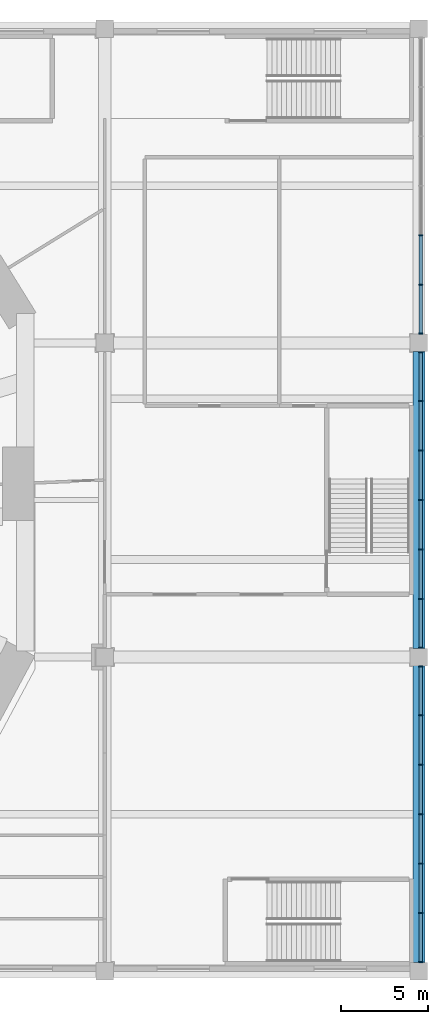
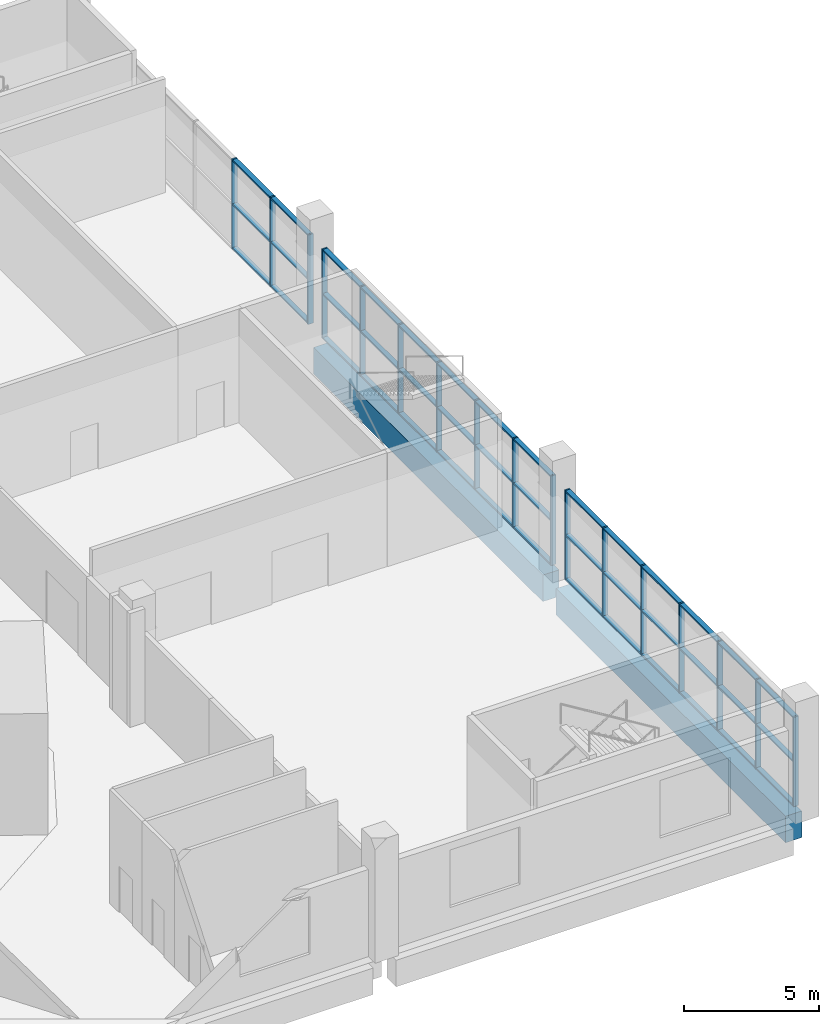
# One storey, part 2 of 16: 59 members, 2 beams, 3 elements without a shape of their own.
"""IFC4 building model written with IfcOpenShell, lengths in metres."""

from ifc_helpers import new_model, si_unit, direction, frame, origin, origin_2d, place, context, subcontext, project, spatial, rectangle, extrude, material, material_profile, profile_set, type_object, element, aggregate, save


model = new_model("IFC4")

# Units and contexts
model_context = context("Model", 3, precision=1e-05, world=origin(), true_north=direction((0.0, 1.0)))
body_context = subcontext(model_context, "Body", "Model", "MODEL_VIEW")
ifc_project = project(units=[si_unit("LENGTHUNIT", "METRE"), si_unit("AREAUNIT", "SQUARE_METRE"), si_unit("VOLUMEUNIT", "CUBIC_METRE"), si_unit("PLANEANGLEUNIT", "RADIAN"), si_unit("MASSUNIT", "GRAM", prefix="KILO")], contexts=[model_context])

# Site, building, storey
site_placement = place(None, origin())
site = spatial("IfcSite", under=ifc_project, at=site_placement, CompositionType="ELEMENT")
building_placement = place(site_placement, origin())
building = spatial("IfcBuilding", under=site, at=building_placement, Name="Vanh Sen Convention Tower", CompositionType="ELEMENT")
storey_placement = place(building_placement, frame((0.0, 0.0, 29.0)))
storey = spatial("IfcBuildingStorey", under=building, at=storey_placement, Name="L04", CompositionType="ELEMENT", Elevation=29.0)

# Curtain wall, members
ifc_material_1 = material(Name="Aluminium structural glazing system", Category="aluminium")
curtain_wall_type = type_object("IfcCurtainWallType", Name="Podium hall structural glazing", PredefinedType="NOTDEFINED", material=ifc_material_1)
curtain_wall_1_placement = place(storey_placement, origin())
curtain_wall_1 = element("IfcCurtainWall", 1, at=curtain_wall_1_placement, inside=storey, type_object=curtain_wall_type, Name="Podium hall glazing 1 L04", PredefinedType="NOTDEFINED")
ifc_material_2 = material(Name="Aluminium mullion", Category="aluminium")
ifc_material_profile_1 = material_profile(ifc_material_2, rectangle(XDim=0.219970703125, YDim=0.070068359375, at=origin_2d()), Name="Hall glazing mullion 70 x 220")
ifc_profile_set_1 = profile_set([ifc_material_profile_1], Name="Aluminium mullion")
member_type_1 = type_object("IfcMemberType", Name="Hall glazing mullion 70 x 220", PredefinedType="MULLION", material=ifc_profile_set_1)
member_1_placement = place(storey_placement, frame((45.110107421875, -26.465087890625, 0.0), z_axis=(0.0, 0.0, 1.0), x_axis=(-1.0, 0.0, 0.0)))
member_1 = element("IfcMember", 2, at=member_1_placement, type_object=member_type_1, Name="CW4 mullion 1", PredefinedType="MULLION", context=body_context, shape_type="SweptSolid", body=[
    extrude(rectangle(XDim=0.219970703125, YDim=0.070068359375, at=origin_2d()), origin(), (0.0, 0.0, 1.0), 4.050048828125),
])
member_2_placement = place(storey_placement, frame((45.110107421875, -23.666748046875, 0.0), z_axis=(0.0, 0.0, 1.0), x_axis=(-1.0, 0.0, 0.0)))
member_2 = element("IfcMember", 3, at=member_2_placement, type_object=member_type_1, Name="CW4 mullion 2", PredefinedType="MULLION", context=body_context, shape_type="SweptSolid", body=[
    extrude(rectangle(XDim=0.219970703125, YDim=0.070068359375, at=origin_2d()), origin(), (0.0, 0.0, 1.0), 4.050048828125),
])
member_3_placement = place(storey_placement, frame((45.110107421875, -20.833251953125, 0.0), z_axis=(0.0, 0.0, 1.0), x_axis=(-1.0, 0.0, 0.0)))
member_3 = element("IfcMember", 4, at=member_3_placement, type_object=member_type_1, Name="CW4 mullion 3", PredefinedType="MULLION", context=body_context, shape_type="SweptSolid", body=[
    extrude(rectangle(XDim=0.219970703125, YDim=0.070068359375, at=origin_2d()), origin(), (0.0, 0.0, 1.0), 4.050048828125),
])
member_4_placement = place(storey_placement, frame((45.110107421875, -18.0, 0.0), z_axis=(0.0, 0.0, 1.0), x_axis=(-1.0, 0.0, 0.0)))
member_4 = element("IfcMember", 5, at=member_4_placement, type_object=member_type_1, Name="CW4 mullion 4", PredefinedType="MULLION", context=body_context, shape_type="SweptSolid", body=[
    extrude(rectangle(XDim=0.219970703125, YDim=0.070068359375, at=origin_2d()), origin(), (0.0, 0.0, 1.0), 4.050048828125),
])
member_5_placement = place(storey_placement, frame((45.110107421875, -15.166748046875, 0.0), z_axis=(0.0, 0.0, 1.0), x_axis=(-1.0, 0.0, 0.0)))
member_5 = element("IfcMember", 6, at=member_5_placement, type_object=member_type_1, Name="CW4 mullion 5", PredefinedType="MULLION", context=body_context, shape_type="SweptSolid", body=[
    extrude(rectangle(XDim=0.219970703125, YDim=0.070068359375, at=origin_2d()), origin(), (0.0, 0.0, 1.0), 4.050048828125),
])
member_6_placement = place(storey_placement, frame((45.110107421875, -12.333251953125, 0.0), z_axis=(0.0, 0.0, 1.0), x_axis=(-1.0, 0.0, 0.0)))
member_6 = element("IfcMember", 7, at=member_6_placement, type_object=member_type_1, Name="CW4 mullion 6", PredefinedType="MULLION", context=body_context, shape_type="SweptSolid", body=[
    extrude(rectangle(XDim=0.219970703125, YDim=0.070068359375, at=origin_2d()), origin(), (0.0, 0.0, 1.0), 4.050048828125),
])
member_7_placement = place(storey_placement, frame((45.110107421875, -9.534912109375, 0.0), z_axis=(0.0, 0.0, 1.0), x_axis=(-1.0, 0.0, 0.0)))
member_7 = element("IfcMember", 8, at=member_7_placement, type_object=member_type_1, Name="CW4 mullion 7", PredefinedType="MULLION", context=body_context, shape_type="SweptSolid", body=[
    extrude(rectangle(XDim=0.219970703125, YDim=0.070068359375, at=origin_2d()), origin(), (0.0, 0.0, 1.0), 4.050048828125),
])

curtain_wall_2_placement = place(storey_placement, origin())
curtain_wall_2 = element("IfcCurtainWall", 9, at=curtain_wall_2_placement, inside=storey, type_object=curtain_wall_type, Name="Podium hall glazing 2 L04", PredefinedType="NOTDEFINED")
member_8_placement = place(storey_placement, frame((45.110107421875, -8.465087890625, 0.0), z_axis=(0.0, 0.0, 1.0), x_axis=(-1.0, 0.0, 0.0)))
member_8 = element("IfcMember", 10, at=member_8_placement, type_object=member_type_1, Name="CW4 mullion 1", PredefinedType="MULLION", context=body_context, shape_type="SweptSolid", body=[
    extrude(rectangle(XDim=0.219970703125, YDim=0.070068359375, at=origin_2d()), origin(), (0.0, 0.0, 1.0), 4.050048828125),
])
member_9_placement = place(storey_placement, frame((45.110107421875, -5.666748046875, 0.0), z_axis=(0.0, 0.0, 1.0), x_axis=(-1.0, 0.0, 0.0)))
member_9 = element("IfcMember", 11, at=member_9_placement, type_object=member_type_1, Name="CW4 mullion 2", PredefinedType="MULLION", context=body_context, shape_type="SweptSolid", body=[
    extrude(rectangle(XDim=0.219970703125, YDim=0.070068359375, at=origin_2d()), origin(), (0.0, 0.0, 1.0), 4.050048828125),
])
member_10_placement = place(storey_placement, frame((45.110107421875, -2.833251953125, 0.0), z_axis=(0.0, 0.0, 1.0), x_axis=(-1.0, 0.0, 0.0)))
member_10 = element("IfcMember", 12, at=member_10_placement, type_object=member_type_1, Name="CW4 mullion 3", PredefinedType="MULLION", context=body_context, shape_type="SweptSolid", body=[
    extrude(rectangle(XDim=0.219970703125, YDim=0.070068359375, at=origin_2d()), origin(), (0.0, 0.0, 1.0), 4.050048828125),
])
member_11_placement = place(storey_placement, frame((45.110107421875, 0.0, 0.0), z_axis=(0.0, 0.0, 1.0), x_axis=(-1.0, 0.0, 0.0)))
member_11 = element("IfcMember", 13, at=member_11_placement, type_object=member_type_1, Name="CW4 mullion 4", PredefinedType="MULLION", context=body_context, shape_type="SweptSolid", body=[
    extrude(rectangle(XDim=0.219970703125, YDim=0.070068359375, at=origin_2d()), origin(), (0.0, 0.0, 1.0), 4.050048828125),
])
member_12_placement = place(storey_placement, frame((45.110107421875, 2.833251953125, 0.0), z_axis=(0.0, 0.0, 1.0), x_axis=(-1.0, 0.0, 0.0)))
member_12 = element("IfcMember", 14, at=member_12_placement, type_object=member_type_1, Name="CW4 mullion 5", PredefinedType="MULLION", context=body_context, shape_type="SweptSolid", body=[
    extrude(rectangle(XDim=0.219970703125, YDim=0.070068359375, at=origin_2d()), origin(), (0.0, 0.0, 1.0), 4.050048828125),
])
member_13_placement = place(storey_placement, frame((45.110107421875, 5.666748046875, 0.0), z_axis=(0.0, 0.0, 1.0), x_axis=(-1.0, 0.0, 0.0)))
member_13 = element("IfcMember", 15, at=member_13_placement, type_object=member_type_1, Name="CW4 mullion 6", PredefinedType="MULLION", context=body_context, shape_type="SweptSolid", body=[
    extrude(rectangle(XDim=0.219970703125, YDim=0.070068359375, at=origin_2d()), origin(), (0.0, 0.0, 1.0), 4.050048828125),
])
member_14_placement = place(storey_placement, frame((45.110107421875, 8.465087890625, 0.0), z_axis=(0.0, 0.0, 1.0), x_axis=(-1.0, 0.0, 0.0)))
member_14 = element("IfcMember", 16, at=member_14_placement, type_object=member_type_1, Name="CW4 mullion 7", PredefinedType="MULLION", context=body_context, shape_type="SweptSolid", body=[
    extrude(rectangle(XDim=0.219970703125, YDim=0.070068359375, at=origin_2d()), origin(), (0.0, 0.0, 1.0), 4.050048828125),
])

curtain_wall_3_placement = place(storey_placement, origin())
curtain_wall_3 = element("IfcCurtainWall", 17, at=curtain_wall_3_placement, inside=storey, type_object=curtain_wall_type, Name="Podium hall glazing 3 L04", PredefinedType="NOTDEFINED")
member_15_placement = place(storey_placement, frame((45.110107421875, 9.534912109375, 0.0), z_axis=(0.0, 0.0, 1.0), x_axis=(-1.0, 0.0, 0.0)))
member_15 = element("IfcMember", 18, at=member_15_placement, type_object=member_type_1, Name="CW4 mullion 1", PredefinedType="MULLION", context=body_context, shape_type="SweptSolid", body=[
    extrude(rectangle(XDim=0.219970703125, YDim=0.070068359375, at=origin_2d()), origin(), (0.0, 0.0, 1.0), 4.050048828125),
])
member_16_placement = place(storey_placement, frame((45.110107421875, 12.333251953125, 0.0), z_axis=(0.0, 0.0, 1.0), x_axis=(-1.0, 0.0, 0.0)))
member_16 = element("IfcMember", 19, at=member_16_placement, type_object=member_type_1, Name="CW4 mullion 2", PredefinedType="MULLION", context=body_context, shape_type="SweptSolid", body=[
    extrude(rectangle(XDim=0.219970703125, YDim=0.070068359375, at=origin_2d()), origin(), (0.0, 0.0, 1.0), 4.050048828125),
])
member_17_placement = place(storey_placement, frame((45.110107421875, 15.166748046875, 0.0), z_axis=(0.0, 0.0, 1.0), x_axis=(-1.0, 0.0, 0.0)))
member_17 = element("IfcMember", 20, at=member_17_placement, type_object=member_type_1, Name="CW4 mullion 3", PredefinedType="MULLION", context=body_context, shape_type="SweptSolid", body=[
    extrude(rectangle(XDim=0.219970703125, YDim=0.070068359375, at=origin_2d()), origin(), (0.0, 0.0, 1.0), 4.050048828125),
])

# Member
ifc_material_3 = material(Name="Aluminium transom", Category="aluminium")
ifc_material_profile_2 = material_profile(ifc_material_3, rectangle(XDim=0.199951171875, YDim=0.070068359375, at=origin_2d()), Name="Hall glazing transom 200 x 70")
ifc_profile_set_2 = profile_set([ifc_material_profile_2], Name="Aluminium transom")
member_type_2 = type_object("IfcMemberType", Name="Hall glazing transom 200 x 70", PredefinedType="USERDEFINED", material=ifc_profile_set_2)
member_18_placement = place(storey_placement, frame((45.110107421875, -26.429931640625, 0.034912109375), z_axis=(0.0, 1.0, 0.0), x_axis=(-1.0, 0.0, 0.0)))
member_18 = element("IfcMember", 21, at=member_18_placement, type_object=member_type_2, Name="CW4 transom 1.1", ObjectType="TRANSOM", PredefinedType="USERDEFINED", context=body_context, shape_type="SweptSolid", body=[
    extrude(rectangle(XDim=0.199951171875, YDim=0.070068359375, at=origin_2d()), origin(), (0.0, 0.0, 1.0), 2.728271484375),
])

member_19_placement = place(storey_placement, frame((45.110107421875, -26.429931640625, 2.02490234375), z_axis=(0.0, 1.0, 0.0), x_axis=(-1.0, 0.0, 0.0)))
member_19 = element("IfcMember", 22, at=member_19_placement, type_object=member_type_2, Name="CW4 transom 1.2", ObjectType="TRANSOM", PredefinedType="USERDEFINED", context=body_context, shape_type="SweptSolid", body=[
    extrude(rectangle(XDim=0.199951171875, YDim=0.070068359375, at=origin_2d()), origin(), (0.0, 0.0, 1.0), 2.728271484375),
])

member_20_placement = place(storey_placement, frame((45.110107421875, -26.429931640625, 4.014892578125), z_axis=(0.0, 1.0, 0.0), x_axis=(-1.0, 0.0, 0.0)))
member_20 = element("IfcMember", 23, at=member_20_placement, type_object=member_type_2, Name="CW4 transom 1.3", ObjectType="TRANSOM", PredefinedType="USERDEFINED", context=body_context, shape_type="SweptSolid", body=[
    extrude(rectangle(XDim=0.199951171875, YDim=0.070068359375, at=origin_2d()), origin(), (0.0, 0.0, 1.0), 2.728271484375),
])

member_21_placement = place(storey_placement, frame((45.110107421875, -23.631591796875, 0.034912109375), z_axis=(0.0, 1.0, 0.0), x_axis=(-1.0, 0.0, 0.0)))
member_21 = element("IfcMember", 24, at=member_21_placement, type_object=member_type_2, Name="CW4 transom 2.1", ObjectType="TRANSOM", PredefinedType="USERDEFINED", context=body_context, shape_type="SweptSolid", body=[
    extrude(rectangle(XDim=0.199951171875, YDim=0.070068359375, at=origin_2d()), origin(), (0.0, 0.0, 1.0), 2.76318359375),
])

member_22_placement = place(storey_placement, frame((45.110107421875, -23.631591796875, 2.02490234375), z_axis=(0.0, 1.0, 0.0), x_axis=(-1.0, 0.0, 0.0)))
member_22 = element("IfcMember", 25, at=member_22_placement, type_object=member_type_2, Name="CW4 transom 2.2", ObjectType="TRANSOM", PredefinedType="USERDEFINED", context=body_context, shape_type="SweptSolid", body=[
    extrude(rectangle(XDim=0.199951171875, YDim=0.070068359375, at=origin_2d()), origin(), (0.0, 0.0, 1.0), 2.76318359375),
])

member_23_placement = place(storey_placement, frame((45.110107421875, -23.631591796875, 4.014892578125), z_axis=(0.0, 1.0, 0.0), x_axis=(-1.0, 0.0, 0.0)))
member_23 = element("IfcMember", 26, at=member_23_placement, type_object=member_type_2, Name="CW4 transom 2.3", ObjectType="TRANSOM", PredefinedType="USERDEFINED", context=body_context, shape_type="SweptSolid", body=[
    extrude(rectangle(XDim=0.199951171875, YDim=0.070068359375, at=origin_2d()), origin(), (0.0, 0.0, 1.0), 2.76318359375),
])

member_24_placement = place(storey_placement, frame((45.110107421875, -20.79833984375, 0.034912109375), z_axis=(0.0, 1.0, 0.0), x_axis=(-1.0, 0.0, 0.0)))
member_24 = element("IfcMember", 27, at=member_24_placement, type_object=member_type_2, Name="CW4 transom 3.1", ObjectType="TRANSOM", PredefinedType="USERDEFINED", context=body_context, shape_type="SweptSolid", body=[
    extrude(rectangle(XDim=0.199951171875, YDim=0.070068359375, at=origin_2d()), origin(), (0.0, 0.0, 1.0), 2.763427734375),
])

member_25_placement = place(storey_placement, frame((45.110107421875, -20.79833984375, 2.02490234375), z_axis=(0.0, 1.0, 0.0), x_axis=(-1.0, 0.0, 0.0)))
member_25 = element("IfcMember", 28, at=member_25_placement, type_object=member_type_2, Name="CW4 transom 3.2", ObjectType="TRANSOM", PredefinedType="USERDEFINED", context=body_context, shape_type="SweptSolid", body=[
    extrude(rectangle(XDim=0.199951171875, YDim=0.070068359375, at=origin_2d()), origin(), (0.0, 0.0, 1.0), 2.763427734375),
])

member_26_placement = place(storey_placement, frame((45.110107421875, -20.79833984375, 4.014892578125), z_axis=(0.0, 1.0, 0.0), x_axis=(-1.0, 0.0, 0.0)))
member_26 = element("IfcMember", 29, at=member_26_placement, type_object=member_type_2, Name="CW4 transom 3.3", ObjectType="TRANSOM", PredefinedType="USERDEFINED", context=body_context, shape_type="SweptSolid", body=[
    extrude(rectangle(XDim=0.199951171875, YDim=0.070068359375, at=origin_2d()), origin(), (0.0, 0.0, 1.0), 2.763427734375),
])

member_27_placement = place(storey_placement, frame((45.110107421875, -17.965087890625, 0.034912109375), z_axis=(0.0, 1.0, 0.0), x_axis=(-1.0, 0.0, 0.0)))
member_27 = element("IfcMember", 30, at=member_27_placement, type_object=member_type_2, Name="CW4 transom 4.1", ObjectType="TRANSOM", PredefinedType="USERDEFINED", context=body_context, shape_type="SweptSolid", body=[
    extrude(rectangle(XDim=0.199951171875, YDim=0.070068359375, at=origin_2d()), origin(), (0.0, 0.0, 1.0), 2.763427734375),
])

member_28_placement = place(storey_placement, frame((45.110107421875, -17.965087890625, 2.02490234375), z_axis=(0.0, 1.0, 0.0), x_axis=(-1.0, 0.0, 0.0)))
member_28 = element("IfcMember", 31, at=member_28_placement, type_object=member_type_2, Name="CW4 transom 4.2", ObjectType="TRANSOM", PredefinedType="USERDEFINED", context=body_context, shape_type="SweptSolid", body=[
    extrude(rectangle(XDim=0.199951171875, YDim=0.070068359375, at=origin_2d()), origin(), (0.0, 0.0, 1.0), 2.763427734375),
])

member_29_placement = place(storey_placement, frame((45.110107421875, -17.965087890625, 4.014892578125), z_axis=(0.0, 1.0, 0.0), x_axis=(-1.0, 0.0, 0.0)))
member_29 = element("IfcMember", 32, at=member_29_placement, type_object=member_type_2, Name="CW4 transom 4.3", ObjectType="TRANSOM", PredefinedType="USERDEFINED", context=body_context, shape_type="SweptSolid", body=[
    extrude(rectangle(XDim=0.199951171875, YDim=0.070068359375, at=origin_2d()), origin(), (0.0, 0.0, 1.0), 2.763427734375),
])

member_30_placement = place(storey_placement, frame((45.110107421875, -15.131591796875, 0.034912109375), z_axis=(0.0, 1.0, 0.0), x_axis=(-1.0, 0.0, 0.0)))
member_30 = element("IfcMember", 33, at=member_30_placement, type_object=member_type_2, Name="CW4 transom 5.1", ObjectType="TRANSOM", PredefinedType="USERDEFINED", context=body_context, shape_type="SweptSolid", body=[
    extrude(rectangle(XDim=0.199951171875, YDim=0.070068359375, at=origin_2d()), origin(), (0.0, 0.0, 1.0), 2.76318359375),
])

member_31_placement = place(storey_placement, frame((45.110107421875, -15.131591796875, 2.02490234375), z_axis=(0.0, 1.0, 0.0), x_axis=(-1.0, 0.0, 0.0)))
member_31 = element("IfcMember", 34, at=member_31_placement, type_object=member_type_2, Name="CW4 transom 5.2", ObjectType="TRANSOM", PredefinedType="USERDEFINED", context=body_context, shape_type="SweptSolid", body=[
    extrude(rectangle(XDim=0.199951171875, YDim=0.070068359375, at=origin_2d()), origin(), (0.0, 0.0, 1.0), 2.76318359375),
])

member_32_placement = place(storey_placement, frame((45.110107421875, -15.131591796875, 4.014892578125), z_axis=(0.0, 1.0, 0.0), x_axis=(-1.0, 0.0, 0.0)))
member_32 = element("IfcMember", 35, at=member_32_placement, type_object=member_type_2, Name="CW4 transom 5.3", ObjectType="TRANSOM", PredefinedType="USERDEFINED", context=body_context, shape_type="SweptSolid", body=[
    extrude(rectangle(XDim=0.199951171875, YDim=0.070068359375, at=origin_2d()), origin(), (0.0, 0.0, 1.0), 2.76318359375),
])

member_33_placement = place(storey_placement, frame((45.110107421875, -12.29833984375, 0.034912109375), z_axis=(0.0, 1.0, 0.0), x_axis=(-1.0, 0.0, 0.0)))
member_33 = element("IfcMember", 36, at=member_33_placement, type_object=member_type_2, Name="CW4 transom 6.1", ObjectType="TRANSOM", PredefinedType="USERDEFINED", context=body_context, shape_type="SweptSolid", body=[
    extrude(rectangle(XDim=0.199951171875, YDim=0.070068359375, at=origin_2d()), origin(), (0.0, 0.0, 1.0), 2.728271484375),
])

member_34_placement = place(storey_placement, frame((45.110107421875, -12.29833984375, 2.02490234375), z_axis=(0.0, 1.0, 0.0), x_axis=(-1.0, 0.0, 0.0)))
member_34 = element("IfcMember", 37, at=member_34_placement, type_object=member_type_2, Name="CW4 transom 6.2", ObjectType="TRANSOM", PredefinedType="USERDEFINED", context=body_context, shape_type="SweptSolid", body=[
    extrude(rectangle(XDim=0.199951171875, YDim=0.070068359375, at=origin_2d()), origin(), (0.0, 0.0, 1.0), 2.728271484375),
])

member_35_placement = place(storey_placement, frame((45.110107421875, -12.29833984375, 4.014892578125), z_axis=(0.0, 1.0, 0.0), x_axis=(-1.0, 0.0, 0.0)))
member_35 = element("IfcMember", 38, at=member_35_placement, type_object=member_type_2, Name="CW4 transom 6.3", ObjectType="TRANSOM", PredefinedType="USERDEFINED", context=body_context, shape_type="SweptSolid", body=[
    extrude(rectangle(XDim=0.199951171875, YDim=0.070068359375, at=origin_2d()), origin(), (0.0, 0.0, 1.0), 2.728271484375),
])

aggregate(curtain_wall_1, [member_1, member_2, member_3, member_4, member_5, member_6, member_7, member_18, member_19, member_20, member_21, member_22, member_23, member_24, member_25, member_26, member_27, member_28, member_29, member_30, member_31, member_32, member_33, member_34, member_35])

member_36_placement = place(storey_placement, frame((45.110107421875, -8.429931640625, 0.034912109375), z_axis=(0.0, 1.0, 0.0), x_axis=(-1.0, 0.0, 0.0)))
member_36 = element("IfcMember", 39, at=member_36_placement, type_object=member_type_2, Name="CW4 transom 1.1", ObjectType="TRANSOM", PredefinedType="USERDEFINED", context=body_context, shape_type="SweptSolid", body=[
    extrude(rectangle(XDim=0.199951171875, YDim=0.070068359375, at=origin_2d()), origin(), (0.0, 0.0, 1.0), 2.728271484375),
])

member_37_placement = place(storey_placement, frame((45.110107421875, -8.429931640625, 2.02490234375), z_axis=(0.0, 1.0, 0.0), x_axis=(-1.0, 0.0, 0.0)))
member_37 = element("IfcMember", 40, at=member_37_placement, type_object=member_type_2, Name="CW4 transom 1.2", ObjectType="TRANSOM", PredefinedType="USERDEFINED", context=body_context, shape_type="SweptSolid", body=[
    extrude(rectangle(XDim=0.199951171875, YDim=0.070068359375, at=origin_2d()), origin(), (0.0, 0.0, 1.0), 2.728271484375),
])

member_38_placement = place(storey_placement, frame((45.110107421875, -8.429931640625, 4.014892578125), z_axis=(0.0, 1.0, 0.0), x_axis=(-1.0, 0.0, 0.0)))
member_38 = element("IfcMember", 41, at=member_38_placement, type_object=member_type_2, Name="CW4 transom 1.3", ObjectType="TRANSOM", PredefinedType="USERDEFINED", context=body_context, shape_type="SweptSolid", body=[
    extrude(rectangle(XDim=0.199951171875, YDim=0.070068359375, at=origin_2d()), origin(), (0.0, 0.0, 1.0), 2.728271484375),
])

member_39_placement = place(storey_placement, frame((45.110107421875, -5.631591796875, 0.034912109375), z_axis=(0.0, 1.0, 0.0), x_axis=(-1.0, 0.0, 0.0)))
member_39 = element("IfcMember", 42, at=member_39_placement, type_object=member_type_2, Name="CW4 transom 2.1", ObjectType="TRANSOM", PredefinedType="USERDEFINED", context=body_context, shape_type="SweptSolid", body=[
    extrude(rectangle(XDim=0.199951171875, YDim=0.070068359375, at=origin_2d()), origin(), (0.0, 0.0, 1.0), 2.76318359375),
])

member_40_placement = place(storey_placement, frame((45.110107421875, -5.631591796875, 2.02490234375), z_axis=(0.0, 1.0, 0.0), x_axis=(-1.0, 0.0, 0.0)))
member_40 = element("IfcMember", 43, at=member_40_placement, type_object=member_type_2, Name="CW4 transom 2.2", ObjectType="TRANSOM", PredefinedType="USERDEFINED", context=body_context, shape_type="SweptSolid", body=[
    extrude(rectangle(XDim=0.199951171875, YDim=0.070068359375, at=origin_2d()), origin(), (0.0, 0.0, 1.0), 2.76318359375),
])

member_41_placement = place(storey_placement, frame((45.110107421875, -5.631591796875, 4.014892578125), z_axis=(0.0, 1.0, 0.0), x_axis=(-1.0, 0.0, 0.0)))
member_41 = element("IfcMember", 44, at=member_41_placement, type_object=member_type_2, Name="CW4 transom 2.3", ObjectType="TRANSOM", PredefinedType="USERDEFINED", context=body_context, shape_type="SweptSolid", body=[
    extrude(rectangle(XDim=0.199951171875, YDim=0.070068359375, at=origin_2d()), origin(), (0.0, 0.0, 1.0), 2.76318359375),
])

member_42_placement = place(storey_placement, frame((45.110107421875, -2.79833984375, 0.034912109375), z_axis=(0.0, 1.0, 0.0), x_axis=(-1.0, 0.0, 0.0)))
member_42 = element("IfcMember", 45, at=member_42_placement, type_object=member_type_2, Name="CW4 transom 3.1", ObjectType="TRANSOM", PredefinedType="USERDEFINED", context=body_context, shape_type="SweptSolid", body=[
    extrude(rectangle(XDim=0.199951171875, YDim=0.070068359375, at=origin_2d()), origin(), (0.0, 0.0, 1.0), 2.763427734375),
])

member_43_placement = place(storey_placement, frame((45.110107421875, -2.79833984375, 2.02490234375), z_axis=(0.0, 1.0, 0.0), x_axis=(-1.0, 0.0, 0.0)))
member_43 = element("IfcMember", 46, at=member_43_placement, type_object=member_type_2, Name="CW4 transom 3.2", ObjectType="TRANSOM", PredefinedType="USERDEFINED", context=body_context, shape_type="SweptSolid", body=[
    extrude(rectangle(XDim=0.199951171875, YDim=0.070068359375, at=origin_2d()), origin(), (0.0, 0.0, 1.0), 2.763427734375),
])

member_44_placement = place(storey_placement, frame((45.110107421875, -2.79833984375, 4.014892578125), z_axis=(0.0, 1.0, 0.0), x_axis=(-1.0, 0.0, 0.0)))
member_44 = element("IfcMember", 47, at=member_44_placement, type_object=member_type_2, Name="CW4 transom 3.3", ObjectType="TRANSOM", PredefinedType="USERDEFINED", context=body_context, shape_type="SweptSolid", body=[
    extrude(rectangle(XDim=0.199951171875, YDim=0.070068359375, at=origin_2d()), origin(), (0.0, 0.0, 1.0), 2.763427734375),
])

member_45_placement = place(storey_placement, frame((45.110107421875, 0.034912109375, 0.034912109375), z_axis=(0.0, 1.0, 0.0), x_axis=(-1.0, 0.0, 0.0)))
member_45 = element("IfcMember", 48, at=member_45_placement, type_object=member_type_2, Name="CW4 transom 4.1", ObjectType="TRANSOM", PredefinedType="USERDEFINED", context=body_context, shape_type="SweptSolid", body=[
    extrude(rectangle(XDim=0.199951171875, YDim=0.070068359375, at=origin_2d()), origin(), (0.0, 0.0, 1.0), 2.763427734375),
])

member_46_placement = place(storey_placement, frame((45.110107421875, 0.034912109375, 2.02490234375), z_axis=(0.0, 1.0, 0.0), x_axis=(-1.0, 0.0, 0.0)))
member_46 = element("IfcMember", 49, at=member_46_placement, type_object=member_type_2, Name="CW4 transom 4.2", ObjectType="TRANSOM", PredefinedType="USERDEFINED", context=body_context, shape_type="SweptSolid", body=[
    extrude(rectangle(XDim=0.199951171875, YDim=0.070068359375, at=origin_2d()), origin(), (0.0, 0.0, 1.0), 2.763427734375),
])

member_47_placement = place(storey_placement, frame((45.110107421875, 0.034912109375, 4.014892578125), z_axis=(0.0, 1.0, 0.0), x_axis=(-1.0, 0.0, 0.0)))
member_47 = element("IfcMember", 50, at=member_47_placement, type_object=member_type_2, Name="CW4 transom 4.3", ObjectType="TRANSOM", PredefinedType="USERDEFINED", context=body_context, shape_type="SweptSolid", body=[
    extrude(rectangle(XDim=0.199951171875, YDim=0.070068359375, at=origin_2d()), origin(), (0.0, 0.0, 1.0), 2.763427734375),
])

member_48_placement = place(storey_placement, frame((45.110107421875, 2.868408203125, 0.034912109375), z_axis=(0.0, 1.0, 0.0), x_axis=(-1.0, 0.0, 0.0)))
member_48 = element("IfcMember", 51, at=member_48_placement, type_object=member_type_2, Name="CW4 transom 5.1", ObjectType="TRANSOM", PredefinedType="USERDEFINED", context=body_context, shape_type="SweptSolid", body=[
    extrude(rectangle(XDim=0.199951171875, YDim=0.070068359375, at=origin_2d()), origin(), (0.0, 0.0, 1.0), 2.76318359375),
])

member_49_placement = place(storey_placement, frame((45.110107421875, 2.868408203125, 2.02490234375), z_axis=(0.0, 1.0, 0.0), x_axis=(-1.0, 0.0, 0.0)))
member_49 = element("IfcMember", 52, at=member_49_placement, type_object=member_type_2, Name="CW4 transom 5.2", ObjectType="TRANSOM", PredefinedType="USERDEFINED", context=body_context, shape_type="SweptSolid", body=[
    extrude(rectangle(XDim=0.199951171875, YDim=0.070068359375, at=origin_2d()), origin(), (0.0, 0.0, 1.0), 2.76318359375),
])

member_50_placement = place(storey_placement, frame((45.110107421875, 2.868408203125, 4.014892578125), z_axis=(0.0, 1.0, 0.0), x_axis=(-1.0, 0.0, 0.0)))
member_50 = element("IfcMember", 53, at=member_50_placement, type_object=member_type_2, Name="CW4 transom 5.3", ObjectType="TRANSOM", PredefinedType="USERDEFINED", context=body_context, shape_type="SweptSolid", body=[
    extrude(rectangle(XDim=0.199951171875, YDim=0.070068359375, at=origin_2d()), origin(), (0.0, 0.0, 1.0), 2.76318359375),
])

member_51_placement = place(storey_placement, frame((45.110107421875, 5.70166015625, 0.034912109375), z_axis=(0.0, 1.0, 0.0), x_axis=(-1.0, 0.0, 0.0)))
member_51 = element("IfcMember", 54, at=member_51_placement, type_object=member_type_2, Name="CW4 transom 6.1", ObjectType="TRANSOM", PredefinedType="USERDEFINED", context=body_context, shape_type="SweptSolid", body=[
    extrude(rectangle(XDim=0.199951171875, YDim=0.070068359375, at=origin_2d()), origin(), (0.0, 0.0, 1.0), 2.728271484375),
])

member_52_placement = place(storey_placement, frame((45.110107421875, 5.70166015625, 2.02490234375), z_axis=(0.0, 1.0, 0.0), x_axis=(-1.0, 0.0, 0.0)))
member_52 = element("IfcMember", 55, at=member_52_placement, type_object=member_type_2, Name="CW4 transom 6.2", ObjectType="TRANSOM", PredefinedType="USERDEFINED", context=body_context, shape_type="SweptSolid", body=[
    extrude(rectangle(XDim=0.199951171875, YDim=0.070068359375, at=origin_2d()), origin(), (0.0, 0.0, 1.0), 2.728271484375),
])

member_53_placement = place(storey_placement, frame((45.110107421875, 5.70166015625, 4.014892578125), z_axis=(0.0, 1.0, 0.0), x_axis=(-1.0, 0.0, 0.0)))
member_53 = element("IfcMember", 56, at=member_53_placement, type_object=member_type_2, Name="CW4 transom 6.3", ObjectType="TRANSOM", PredefinedType="USERDEFINED", context=body_context, shape_type="SweptSolid", body=[
    extrude(rectangle(XDim=0.199951171875, YDim=0.070068359375, at=origin_2d()), origin(), (0.0, 0.0, 1.0), 2.728271484375),
])

aggregate(curtain_wall_2, [member_8, member_9, member_10, member_11, member_12, member_13, member_14, member_36, member_37, member_38, member_39, member_40, member_41, member_42, member_43, member_44, member_45, member_46, member_47, member_48, member_49, member_50, member_51, member_52, member_53])

member_54_placement = place(storey_placement, frame((45.110107421875, 9.570068359375, 0.034912109375), z_axis=(0.0, 1.0, 0.0), x_axis=(-1.0, 0.0, 0.0)))
member_54 = element("IfcMember", 57, at=member_54_placement, type_object=member_type_2, Name="CW4 transom 1.1", ObjectType="TRANSOM", PredefinedType="USERDEFINED", context=body_context, shape_type="SweptSolid", body=[
    extrude(rectangle(XDim=0.199951171875, YDim=0.070068359375, at=origin_2d()), origin(), (0.0, 0.0, 1.0), 2.728271484375),
])

member_55_placement = place(storey_placement, frame((45.110107421875, 9.570068359375, 2.02490234375), z_axis=(0.0, 1.0, 0.0), x_axis=(-1.0, 0.0, 0.0)))
member_55 = element("IfcMember", 58, at=member_55_placement, type_object=member_type_2, Name="CW4 transom 1.2", ObjectType="TRANSOM", PredefinedType="USERDEFINED", context=body_context, shape_type="SweptSolid", body=[
    extrude(rectangle(XDim=0.199951171875, YDim=0.070068359375, at=origin_2d()), origin(), (0.0, 0.0, 1.0), 2.728271484375),
])

member_56_placement = place(storey_placement, frame((45.110107421875, 9.570068359375, 4.014892578125), z_axis=(0.0, 1.0, 0.0), x_axis=(-1.0, 0.0, 0.0)))
member_56 = element("IfcMember", 59, at=member_56_placement, type_object=member_type_2, Name="CW4 transom 1.3", ObjectType="TRANSOM", PredefinedType="USERDEFINED", context=body_context, shape_type="SweptSolid", body=[
    extrude(rectangle(XDim=0.199951171875, YDim=0.070068359375, at=origin_2d()), origin(), (0.0, 0.0, 1.0), 2.728271484375),
])

member_57_placement = place(storey_placement, frame((45.110107421875, 12.368408203125, 0.034912109375), z_axis=(0.0, 1.0, 0.0), x_axis=(-1.0, 0.0, 0.0)))
member_57 = element("IfcMember", 60, at=member_57_placement, type_object=member_type_2, Name="CW4 transom 2.1", ObjectType="TRANSOM", PredefinedType="USERDEFINED", context=body_context, shape_type="SweptSolid", body=[
    extrude(rectangle(XDim=0.199951171875, YDim=0.070068359375, at=origin_2d()), origin(), (0.0, 0.0, 1.0), 2.76318359375),
])

member_58_placement = place(storey_placement, frame((45.110107421875, 12.368408203125, 2.02490234375), z_axis=(0.0, 1.0, 0.0), x_axis=(-1.0, 0.0, 0.0)))
member_58 = element("IfcMember", 61, at=member_58_placement, type_object=member_type_2, Name="CW4 transom 2.2", ObjectType="TRANSOM", PredefinedType="USERDEFINED", context=body_context, shape_type="SweptSolid", body=[
    extrude(rectangle(XDim=0.199951171875, YDim=0.070068359375, at=origin_2d()), origin(), (0.0, 0.0, 1.0), 2.76318359375),
])

member_59_placement = place(storey_placement, frame((45.110107421875, 12.368408203125, 4.014892578125), z_axis=(0.0, 1.0, 0.0), x_axis=(-1.0, 0.0, 0.0)))
member_59 = element("IfcMember", 62, at=member_59_placement, type_object=member_type_2, Name="CW4 transom 2.3", ObjectType="TRANSOM", PredefinedType="USERDEFINED", context=body_context, shape_type="SweptSolid", body=[
    extrude(rectangle(XDim=0.199951171875, YDim=0.070068359375, at=origin_2d()), origin(), (0.0, 0.0, 1.0), 2.76318359375),
])

aggregate(curtain_wall_3, [member_15, member_16, member_17, member_54, member_55, member_56, member_57, member_58, member_59])

# Beams
ifc_material_4 = material(Name="Concrete C50/60", Category="concrete")
ifc_material_profile_3 = material_profile(ifc_material_4, rectangle(XDim=0.699951171875, YDim=1.199951171875, at=origin_2d()), Name="RC 700X1200")
ifc_profile_set_3 = profile_set([ifc_material_profile_3], Name="Concrete C50/60")
beam_type = type_object("IfcBeamType", Name="Podium girder 700 x 1200", PredefinedType="BEAM", material=ifc_profile_set_3)
for number, where, z_axis, x_axis, name in (
    (63, (45.0, -26.5048828125, -0.89990234375), (0.0, 1.0, 0.0), (-1.0, 0.0, 0.0), "Podium girder 11 L04"),
    (64, (45.0, -8.5048828125, -0.89990234375), (0.0, 1.0, 0.0), (-1.0, 0.0, 0.0), "Podium girder 12 L04"),
):
    element("IfcBeam", number, at=place(storey_placement, frame(where, z_axis=z_axis, x_axis=x_axis)), inside=storey, type_object=beam_type, Name=name, PredefinedType="BEAM", context=body_context, shape_type="SweptSolid", body=[
        extrude(rectangle(XDim=0.699951171875, YDim=1.199951171875, at=origin_2d()), origin(), (0.0, 0.0, 1.0), 17.009765625),
    ])

save(model, "model.ifc")
